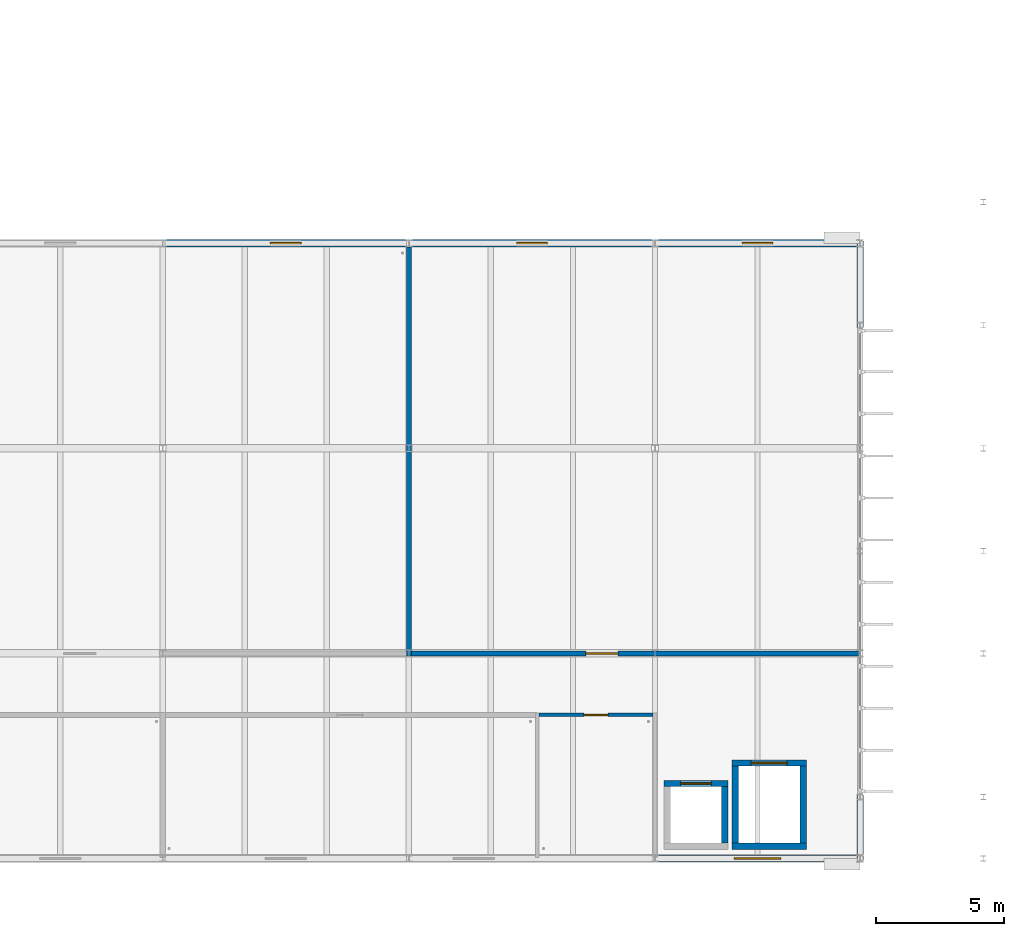
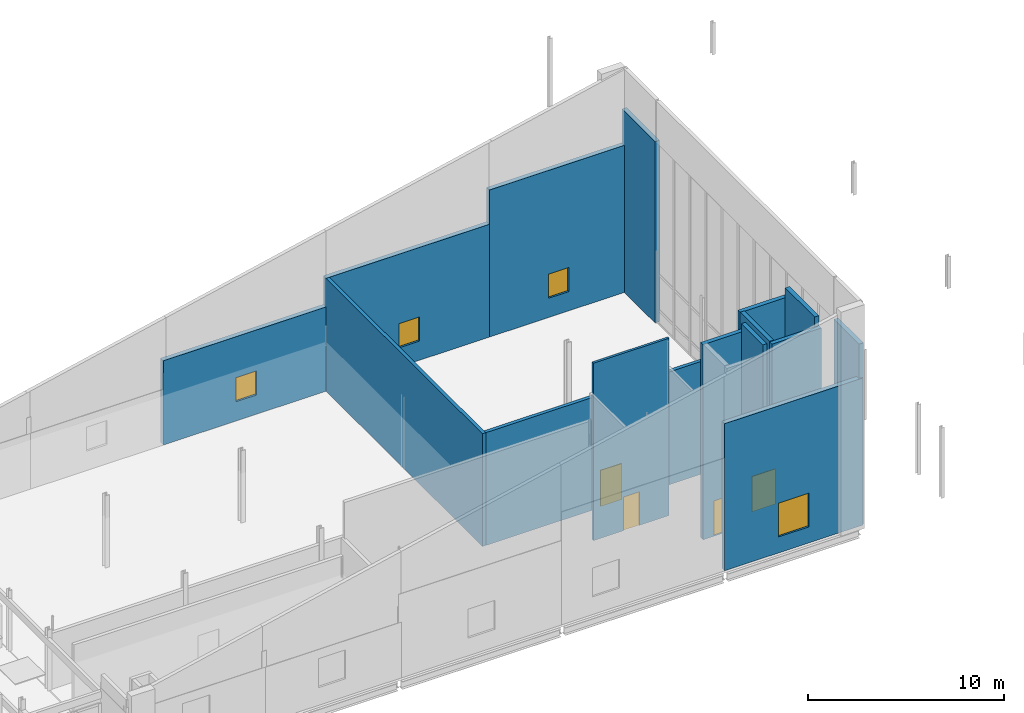
# One storey, part 35 of 59: 15 walls, 4 doors, 4 windows, 8 openings.
"""IFC4 building model written with IfcOpenShell, lengths in metres."""

from ifc_helpers import new_model, si_unit, direction, frame, frame_2d, origin, place, context, subcontext, project, spatial, rectangle, extrude, material, layer, layer_set, type_object, element, fill, save


model = new_model("IFC4")

# Units and contexts
model_context = context("Model", 3, precision=1e-05, world=origin(), true_north=direction((0.0, 1.0)))
body_context = subcontext(model_context, "Body", "Model", "MODEL_VIEW")
ifc_project = project(units=[si_unit("LENGTHUNIT", "METRE"), si_unit("AREAUNIT", "SQUARE_METRE"), si_unit("VOLUMEUNIT", "CUBIC_METRE"), si_unit("PLANEANGLEUNIT", "RADIAN"), si_unit("MASSUNIT", "GRAM", prefix="KILO")], contexts=[model_context])

# Site, building, storey
site_placement = place(None, origin())
site = spatial("IfcSite", under=ifc_project, at=site_placement, CompositionType="ELEMENT")
building_placement = place(site_placement, origin())
building = spatial("IfcBuilding", under=site, at=building_placement, Name="Dunescarp Central Library", CompositionType="ELEMENT")
storey_placement = place(building_placement, frame((0.0, 0.0, 18.60009765625)))
storey = spatial("IfcBuildingStorey", under=building, at=storey_placement, Name="L04", CompositionType="ELEMENT", Elevation=18.60009765625)

# Wall
ifc_material_1 = material(Name="Concrete C35/45", Category="concrete")
ifc_layer_1 = layer(ifc_material_1, 0.199951171875)
ifc_layer_set_1 = layer_set([ifc_layer_1], Name="Concrete C35/45")
wall_type_1 = type_object("IfcWallType", Name="ARC-PT-FIRE200", PredefinedType="PARTITIONING", material=ifc_layer_set_1)
wall_1_placement = place(storey_placement, frame((107.199951171875, 12.699951171875, 0.0), z_axis=(0.0, 0.0, 1.0), x_axis=(0.0, 1.0, 0.0)))
element("IfcWall", 1, at=wall_1_placement, inside=storey, type_object=wall_type_1, Name="L04 partition PT-L04-0306", PredefinedType="PARTITIONING", context=body_context, shape_type="SweptSolid", body=[
    extrude(rectangle(XDim=16.06005859375, YDim=0.199951171875, at=frame_2d((8.030029296875, 0.0))), origin(), (0.0, 0.0, 1.0), 7.02685546875),
])

# Wall, opening, door
wall_2_placement = place(storey_placement, frame((107.199951171875, 12.800048828125, 0.0), z_axis=(0.0, 0.0, 1.0), x_axis=(1.0, 0.0, 0.0)))
wall_2 = element("IfcWall", 2, at=wall_2_placement, inside=storey, type_object=wall_type_1, Name="L04 partition PT-L04-0307", PredefinedType="PARTITIONING", context=body_context, shape_type="SweptSolid", body=[
    extrude(rectangle(XDim=17.56005859375, YDim=0.199951171875, at=frame_2d((8.780029296875, 0.0))), origin(), (0.0, 0.0, 1.0), 7.02685546875),
])
opening_1_placement = place(wall_2_placement, frame((6.905029296875, 0.0, 0.0)))
opening_1 = element("IfcOpeningElement", 3, at=opening_1_placement, cuts=wall_2, Name="Opening DR-L04-0131", PredefinedType="OPENING", context=body_context, shape_type="SweptSolid", body=[
    extrude(rectangle(XDim=1.25, YDim=2.25, at=frame_2d((0.625, 1.125))), frame((0.0, 0.10986328125, 0.0), z_axis=(0.0, -1.0, 0.0), x_axis=(1.0, 0.0, 0.0)), (0.0, 0.0, 1.0), 0.219970703125),
])
ifc_material_2 = material(Name="Galvanised steel FD120S", Category="steel")
door_type_1 = type_object("IfcDoorType", Name="ARC-DR-VAULT1200", OperationType="NOTDEFINED", PredefinedType="DOOR", material=ifc_material_2)
door_1_placement = place(opening_1_placement, origin())
door_1 = element("IfcDoor", 4, at=door_1_placement, inside=storey, type_object=door_type_1, Name="L04 interior door DR-L04-0131", OperationType="SINGLE_SWING_RIGHT", OverallHeight=2.25, OverallWidth=1.25, PredefinedType="DOOR", context=body_context, shape_type="SweptSolid", body=[
    extrude(rectangle(XDim=1.25, YDim=2.25, at=frame_2d((0.625, 1.125))), frame((0.0, 0.02490234375, 0.0), z_axis=(0.0, -1.0, 0.0), x_axis=(1.0, 0.0, 0.0)), (0.0, 0.0, 1.0), 0.050048828125),
])
fill(opening_1, door_1)

ifc_material_3 = material(Name="Autoclaved aerated concrete block", Category="concrete")
ifc_layer_2 = layer(ifc_material_3, 0.139892578125)
ifc_layer_set_2 = layer_set([ifc_layer_2], Name="Autoclaved aerated concrete block")
wall_type_2 = type_object("IfcWallType", Name="ARC-PT-WET140", PredefinedType="PARTITIONING", material=ifc_layer_set_2)
wall_3_placement = place(storey_placement, frame((112.27001953125, 10.39990234375, 0.0), z_axis=(0.0, 0.0, 1.0), x_axis=(1.0, 0.0, 0.0)))
wall_3 = element("IfcWall", 5, at=wall_3_placement, inside=storey, type_object=wall_type_2, Name="L04 partition PT-L04-0299", PredefinedType="PARTITIONING", context=body_context, shape_type="SweptSolid", body=[
    extrude(rectangle(XDim=4.4599609375, YDim=0.139892578125, at=frame_2d((2.22998046875, 0.0))), origin(), (0.0, 0.0, 1.0), 11.0498046875),
])
opening_2_placement = place(wall_3_placement, frame((1.7548828125, 0.0, 0.0)))
opening_2 = element("IfcOpeningElement", 6, at=opening_2_placement, cuts=wall_3, Name="Opening DR-L04-0127", PredefinedType="OPENING", context=body_context, shape_type="SweptSolid", body=[
    extrude(rectangle(XDim=0.949951171875, YDim=2.10009765625, at=frame_2d((0.47509765625, 1.050048828125))), frame((0.0, 0.080078125, 0.0), z_axis=(0.0, -1.0, 0.0), x_axis=(1.0, 0.0, 0.0)), (0.0, 0.0, 1.0), 0.159912109375),
])
ifc_material_4 = material(Name="Hardwood solid-core timber leaf", Category="wood")
door_type_2 = type_object("IfcDoorType", Name="ARC-DR-WC950", OperationType="NOTDEFINED", PredefinedType="DOOR", material=ifc_material_4)
door_2_placement = place(opening_2_placement, origin())
door_2 = element("IfcDoor", 7, at=door_2_placement, inside=storey, type_object=door_type_2, Name="L04 interior door DR-L04-0127", OperationType="SINGLE_SWING_RIGHT", OverallHeight=2.10009765625, OverallWidth=0.949951171875, PredefinedType="DOOR", context=body_context, shape_type="SweptSolid", body=[
    extrude(rectangle(XDim=0.949951171875, YDim=2.10009765625, at=frame_2d((0.47509765625, 1.050048828125))), frame((0.0, 0.02490234375, 0.0), z_axis=(0.0, -1.0, 0.0), x_axis=(1.0, 0.0, 0.0)), (0.0, 0.0, 1.0), 0.050048828125),
])
fill(opening_2, door_2)

# Walls
ifc_material_5 = material(Name="Glass-fibre reinforced concrete GRC", Category="concrete")
ifc_layer_3 = layer(ifc_material_5, 0.260009765625)
ifc_layer_set_3 = layer_set([ifc_layer_3], Name="Glass-fibre reinforced concrete GRC")
wall_type_3 = type_object("IfcWallType", Name="ARC-WL-GRC260", PredefinedType="SOLIDWALL", material=ifc_layer_set_3)
wall_4_placement = place(storey_placement, frame((124.800048828125, 7.284912109375, 0.0), z_axis=(0.0, 0.0, 1.0), x_axis=(0.0, -1.0, 0.0)))
element("IfcWall", 8, at=wall_4_placement, inside=storey, type_object=wall_type_3, Name="L04 external wall EW-V3-099", PredefinedType="SOLIDWALL", context=body_context, shape_type="SweptSolid", body=[
    extrude(rectangle(XDim=2.56982421875, YDim=0.260009765625, at=frame_2d((1.284912109375, 0.0))), origin(), (0.0, 0.0, 1.0), 11.2939453125),
])
wall_5_placement = place(storey_placement, frame((124.800048828125, 28.885009765625, 0.0), z_axis=(0.0, 0.0, 1.0), x_axis=(0.0, -1.0, 0.0)))
element("IfcWall", 9, at=wall_5_placement, inside=storey, type_object=wall_type_3, Name="L04 external wall EW-V3-100", PredefinedType="SOLIDWALL", context=body_context, shape_type="SweptSolid", body=[
    extrude(rectangle(XDim=3.3701171875, YDim=0.260009765625, at=frame_2d((1.68505859375, 0.0))), origin(), (0.0, 0.0, 1.0), 11.2939453125),
])

# Wall, opening, window
ifc_layer_4 = layer(ifc_material_5, 0.280029296875)
ifc_layer_set_4 = layer_set([ifc_layer_4], Name="Glass-fibre reinforced concrete GRC")
wall_type_4 = type_object("IfcWallType", Name="ARC-WL-GRC280", PredefinedType="SOLIDWALL", material=ifc_layer_set_4)
wall_6_placement = place(storey_placement, frame((124.885009765625, 4.800048828125, 0.0), z_axis=(0.0, 0.0, 1.0), x_axis=(-1.0, 0.0, 0.0)))
wall_6 = element("IfcWall", 10, at=wall_6_placement, inside=storey, type_object=wall_type_4, Name="L04 external wall EW-V3-091", PredefinedType="SOLIDWALL", context=body_context, shape_type="SweptSolid", body=[
    extrude(rectangle(XDim=8.169921875, YDim=0.280029296875, at=frame_2d((4.0849609375, 0.0))), origin(), (0.0, 0.0, 1.0), 9.159912109375),
])
opening_3_placement = place(wall_6_placement, frame((3.18505859375, 0.0, 1.0)))
opening_3 = element("IfcOpeningElement", 11, at=opening_3_placement, cuts=wall_6, Name="Opening WN-022", PredefinedType="OPENING", context=body_context, shape_type="SweptSolid", body=[
    extrude(rectangle(XDim=1.800048828125, YDim=2.10009765625, at=frame_2d((0.89990234375, 1.050048828125))), frame((0.0, 0.14990234375, 0.0), z_axis=(0.0, -1.0, 0.0), x_axis=(1.0, 0.0, 0.0)), (0.0, 0.0, 1.0), 0.300048828125),
])
ifc_material_6 = material(Name="Solar-control laminated double glazing", Category="glass")
window_type_1 = type_object("IfcWindowType", Name="ARC-WN-1800X2100", PartitioningType="SINGLE_PANEL", PredefinedType="WINDOW", material=ifc_material_6)
window_1_placement = place(opening_3_placement, origin())
window_1 = element("IfcWindow", 12, at=window_1_placement, inside=storey, type_object=window_type_1, Name="L04 window WN-022", OverallHeight=2.10009765625, OverallWidth=1.800048828125, PartitioningType="SINGLE_PANEL", PredefinedType="WINDOW", context=body_context, shape_type="SweptSolid", body=[
    extrude(rectangle(XDim=1.800048828125, YDim=2.10009765625, at=frame_2d((0.89990234375, 1.050048828125))), frame((0.0, 0.030029296875, 0.0), z_axis=(0.0, -1.0, 0.0), x_axis=(1.0, 0.0, 0.0)), (0.0, 0.0, 1.0), 0.06005859375),
])
fill(opening_3, window_1)

wall_7_placement = place(storey_placement, frame((97.514892578125, 28.800048828125, 0.0), z_axis=(0.0, 0.0, 1.0), x_axis=(1.0, 0.0, 0.0)))
wall_7 = element("IfcWall", 13, at=wall_7_placement, inside=storey, type_object=wall_type_4, Name="L04 external wall EW-V3-094", PredefinedType="SOLIDWALL", context=body_context, shape_type="SweptSolid", body=[
    extrude(rectangle(XDim=9.77001953125, YDim=0.280029296875, at=frame_2d((4.885009765625, 0.0))), origin(), (0.0, 0.0, 1.0), 5.2490234375),
])
opening_4_placement = place(wall_7_placement, frame((4.284912109375, 0.0, 1.199951171875)))
opening_4 = element("IfcOpeningElement", 14, at=opening_4_placement, cuts=wall_7, Name="Opening WN-025", PredefinedType="OPENING", context=body_context, shape_type="SweptSolid", body=[
    extrude(rectangle(XDim=1.199951171875, YDim=1.5, at=frame_2d((0.60009765625, 0.75))), frame((0.0, 0.14990234375, 0.0), z_axis=(0.0, -1.0, 0.0), x_axis=(1.0, 0.0, 0.0)), (0.0, 0.0, 1.0), 0.300048828125),
])
window_type_2 = type_object("IfcWindowType", Name="ARC-WN-1200X1500", PartitioningType="SINGLE_PANEL", PredefinedType="WINDOW", material=ifc_material_6)
window_2_placement = place(opening_4_placement, origin())
window_2 = element("IfcWindow", 15, at=window_2_placement, inside=storey, type_object=window_type_2, Name="L04 window WN-025", OverallHeight=1.5, OverallWidth=1.199951171875, PartitioningType="SINGLE_PANEL", PredefinedType="WINDOW", context=body_context, shape_type="SweptSolid", body=[
    extrude(rectangle(XDim=1.199951171875, YDim=1.5, at=frame_2d((0.60009765625, 0.75))), frame((0.0, 0.030029296875, 0.0), z_axis=(0.0, -1.0, 0.0), x_axis=(1.0, 0.0, 0.0)), (0.0, 0.0, 1.0), 0.06005859375),
])
fill(opening_4, window_2)

wall_8_placement = place(storey_placement, frame((107.114990234375, 28.800048828125, 0.0), z_axis=(0.0, 0.0, 1.0), x_axis=(1.0, 0.0, 0.0)))
wall_8 = element("IfcWall", 16, at=wall_8_placement, inside=storey, type_object=wall_type_4, Name="L04 external wall EW-V3-095", PredefinedType="SOLIDWALL", context=body_context, shape_type="SweptSolid", body=[
    extrude(rectangle(XDim=9.77001953125, YDim=0.280029296875, at=frame_2d((4.885009765625, 0.0))), origin(), (0.0, 0.0, 1.0), 7.02685546875),
])
opening_5_placement = place(wall_8_placement, frame((4.284912109375, 0.0, 1.199951171875)))
opening_5 = element("IfcOpeningElement", 17, at=opening_5_placement, cuts=wall_8, Name="Opening WN-026", PredefinedType="OPENING", context=body_context, shape_type="SweptSolid", body=[
    extrude(rectangle(XDim=1.199951171875, YDim=1.5, at=frame_2d((0.60009765625, 0.75))), frame((0.0, 0.14990234375, 0.0), z_axis=(0.0, -1.0, 0.0), x_axis=(1.0, 0.0, 0.0)), (0.0, 0.0, 1.0), 0.300048828125),
])
window_3_placement = place(opening_5_placement, origin())
window_3 = element("IfcWindow", 18, at=window_3_placement, inside=storey, type_object=window_type_2, Name="L04 window WN-026", OverallHeight=1.5, OverallWidth=1.199951171875, PartitioningType="SINGLE_PANEL", PredefinedType="WINDOW", context=body_context, shape_type="SweptSolid", body=[
    extrude(rectangle(XDim=1.199951171875, YDim=1.5, at=frame_2d((0.60009765625, 0.75))), frame((0.0, 0.030029296875, 0.0), z_axis=(0.0, -1.0, 0.0), x_axis=(1.0, 0.0, 0.0)), (0.0, 0.0, 1.0), 0.06005859375),
])
fill(opening_5, window_3)

wall_9_placement = place(storey_placement, frame((116.715087890625, 28.800048828125, 0.0), z_axis=(0.0, 0.0, 1.0), x_axis=(1.0, 0.0, 0.0)))
wall_9 = element("IfcWall", 19, at=wall_9_placement, inside=storey, type_object=wall_type_4, Name="L04 external wall EW-V3-096", PredefinedType="SOLIDWALL", context=body_context, shape_type="SweptSolid", body=[
    extrude(rectangle(XDim=8.169921875, YDim=0.280029296875, at=frame_2d((4.0849609375, 0.0))), origin(), (0.0, 0.0, 1.0), 9.159912109375),
])
opening_6_placement = place(wall_9_placement, frame((3.485107421875, 0.0, 1.199951171875)))
opening_6 = element("IfcOpeningElement", 20, at=opening_6_placement, cuts=wall_9, Name="Opening WN-027", PredefinedType="OPENING", context=body_context, shape_type="SweptSolid", body=[
    extrude(rectangle(XDim=1.199951171875, YDim=1.5, at=frame_2d((0.60009765625, 0.75))), frame((0.0, 0.14990234375, 0.0), z_axis=(0.0, -1.0, 0.0), x_axis=(1.0, 0.0, 0.0)), (0.0, 0.0, 1.0), 0.300048828125),
])
window_4_placement = place(opening_6_placement, origin())
window_4 = element("IfcWindow", 21, at=window_4_placement, inside=storey, type_object=window_type_2, Name="L04 window WN-027", OverallHeight=1.5, OverallWidth=1.199951171875, PartitioningType="SINGLE_PANEL", PredefinedType="WINDOW", context=body_context, shape_type="SweptSolid", body=[
    extrude(rectangle(XDim=1.199951171875, YDim=1.5, at=frame_2d((0.60009765625, 0.75))), frame((0.0, 0.030029296875, 0.0), z_axis=(0.0, -1.0, 0.0), x_axis=(1.0, 0.0, 0.0)), (0.0, 0.0, 1.0), 0.06005859375),
])
fill(opening_6, window_4)

# Wall, opening, door
ifc_material_7 = material(Name="Concrete C40/50", Category="concrete")
ifc_layer_5 = layer(ifc_material_7, 0.25)
ifc_layer_set_5 = layer_set([ifc_layer_5], Name="Concrete C40/50")
wall_type_5 = type_object("IfcWallType", Name="STR-WL-CORE250", PredefinedType="SHEAR", material=ifc_layer_set_5)
wall_10_placement = place(storey_placement, frame((117.14990234375, 7.72509765625, 0.0), z_axis=(0.0, 0.0, 1.0), x_axis=(1.0, 0.0, 0.0)))
wall_10 = element("IfcWall", 22, at=wall_10_placement, inside=storey, type_object=wall_type_5, Name="L04 PL-3 lift shaft wall N", PredefinedType="SHEAR", context=body_context, shape_type="SweptSolid", body=[
    extrude(rectangle(XDim=2.5, YDim=0.25, at=frame_2d((1.25, 0.0))), origin(), (0.0, 0.0, 1.0), 12.14990234375),
])
opening_7_placement = place(wall_10_placement, frame((0.64990234375, 0.0, 0.0)))
opening_7 = element("IfcOpeningElement", 23, at=opening_7_placement, cuts=wall_10, Name="Opening LD-PL-3-L04", PredefinedType="OPENING", context=body_context, shape_type="SweptSolid", body=[
    extrude(rectangle(XDim=1.199951171875, YDim=2.199951171875, at=frame_2d((0.60009765625, 1.10009765625))), frame((0.0, 0.135009765625, 0.0), z_axis=(0.0, -1.0, 0.0), x_axis=(1.0, 0.0, 0.0)), (0.0, 0.0, 1.0), 0.27001953125),
])
ifc_material_8 = material(Name="Stainless steel Grade 316L", Category="steel")
door_type_3 = type_object("IfcDoorType", Name="ARC-DR-LD1200", OperationType="DOUBLE_DOOR_SLIDING", PredefinedType="DOOR", material=ifc_material_8)
door_3_placement = place(opening_7_placement, origin())
door_3 = element("IfcDoor", 24, at=door_3_placement, inside=storey, type_object=door_type_3, Name="L04 PL-3 lift landing door", OperationType="DOUBLE_DOOR_SLIDING", OverallHeight=2.199951171875, OverallWidth=1.199951171875, PredefinedType="DOOR", context=body_context, shape_type="SweptSolid", body=[
    extrude(rectangle(XDim=1.199951171875, YDim=2.199951171875, at=frame_2d((0.60009765625, 1.10009765625))), frame((0.0, 0.02490234375, 0.0), z_axis=(0.0, -1.0, 0.0), x_axis=(1.0, 0.0, 0.0)), (0.0, 0.0, 1.0), 0.050048828125),
])
fill(opening_7, door_3)

# Walls
wall_11_placement = place(storey_placement, frame((119.52490234375, 7.60009765625, 0.0), z_axis=(0.0, 0.0, 1.0), x_axis=(0.0, -1.0, 0.0)))
element("IfcWall", 25, at=wall_11_placement, inside=storey, type_object=wall_type_5, Name="L04 PL-3 lift shaft wall E", PredefinedType="SHEAR", context=body_context, shape_type="SweptSolid", body=[
    extrude(rectangle(XDim=2.2001953125, YDim=0.25, at=frame_2d((1.10009765625, 0.0))), origin(), (0.0, 0.0, 1.0), 12.677001953125),
])
wall_12_placement = place(storey_placement, frame((122.699951171875, 5.27490234375, 0.0), z_axis=(0.0, 0.0, 1.0), x_axis=(-1.0, 0.0, 0.0)))
element("IfcWall", 26, at=wall_12_placement, inside=storey, type_object=wall_type_5, Name="L04 BL-1 lift shaft wall S", PredefinedType="SHEAR", context=body_context, shape_type="SweptSolid", body=[
    extrude(rectangle(XDim=2.89990234375, YDim=0.25, at=frame_2d((1.449951171875, 0.0))), origin(), (0.0, 0.0, 1.0), 12.73779296875),
])

# Wall, opening, door
wall_13_placement = place(storey_placement, frame((119.800048828125, 8.52490234375, 0.0), z_axis=(0.0, 0.0, 1.0), x_axis=(1.0, 0.0, 0.0)))
wall_13 = element("IfcWall", 27, at=wall_13_placement, inside=storey, type_object=wall_type_5, Name="L04 BL-1 lift shaft wall N", PredefinedType="SHEAR", context=body_context, shape_type="SweptSolid", body=[
    extrude(rectangle(XDim=2.89990234375, YDim=0.25, at=frame_2d((1.449951171875, 0.0))), origin(), (0.0, 0.0, 1.0), 12.73779296875),
])
opening_8_placement = place(wall_13_placement, frame((0.75, 0.0, 0.0)))
opening_8 = element("IfcOpeningElement", 28, at=opening_8_placement, cuts=wall_13, Name="Opening LD-BL-1-L04", PredefinedType="OPENING", context=body_context, shape_type="SweptSolid", body=[
    extrude(rectangle(XDim=1.39990234375, YDim=2.199951171875, at=frame_2d((0.699951171875, 1.10009765625))), frame((0.0, 0.135009765625, 0.0), z_axis=(0.0, -1.0, 0.0), x_axis=(1.0, 0.0, 0.0)), (0.0, 0.0, 1.0), 0.27001953125),
])
door_type_4 = type_object("IfcDoorType", Name="ARC-DR-LD1400", OperationType="DOUBLE_DOOR_SLIDING", PredefinedType="DOOR", material=ifc_material_8)
door_4_placement = place(opening_8_placement, origin())
door_4 = element("IfcDoor", 29, at=door_4_placement, inside=storey, type_object=door_type_4, Name="L04 BL-1 lift landing door", OperationType="DOUBLE_DOOR_SLIDING", OverallHeight=2.199951171875, OverallWidth=1.39990234375, PredefinedType="DOOR", context=body_context, shape_type="SweptSolid", body=[
    extrude(rectangle(XDim=1.39990234375, YDim=2.199951171875, at=frame_2d((0.699951171875, 1.10009765625))), frame((0.0, 0.02490234375, 0.0), z_axis=(0.0, -1.0, 0.0), x_axis=(1.0, 0.0, 0.0)), (0.0, 0.0, 1.0), 0.050048828125),
])
fill(opening_8, door_4)

# Walls
wall_14_placement = place(storey_placement, frame((119.925048828125, 5.39990234375, 0.0), z_axis=(0.0, 0.0, 1.0), x_axis=(0.0, 1.0, 0.0)))
element("IfcWall", 30, at=wall_14_placement, inside=storey, type_object=wall_type_5, Name="L04 BL-1 lift shaft wall W", PredefinedType="SHEAR", context=body_context, shape_type="SweptSolid", body=[
    extrude(rectangle(XDim=3.0, YDim=0.25, at=frame_2d((1.5, 0.0))), origin(), (0.0, 0.0, 1.0), 12.765869140625),
])
wall_15_placement = place(storey_placement, frame((122.574951171875, 8.39990234375, 0.0), z_axis=(0.0, 0.0, 1.0), x_axis=(0.0, -1.0, 0.0)))
element("IfcWall", 31, at=wall_15_placement, inside=storey, type_object=wall_type_5, Name="L04 BL-1 lift shaft wall E", PredefinedType="SHEAR", context=body_context, shape_type="SweptSolid", body=[
    extrude(rectangle(XDim=3.0, YDim=0.25, at=frame_2d((1.5, 0.0))), origin(), (0.0, 0.0, 1.0), 13.35498046875),
])

save(model, "model.ifc")
